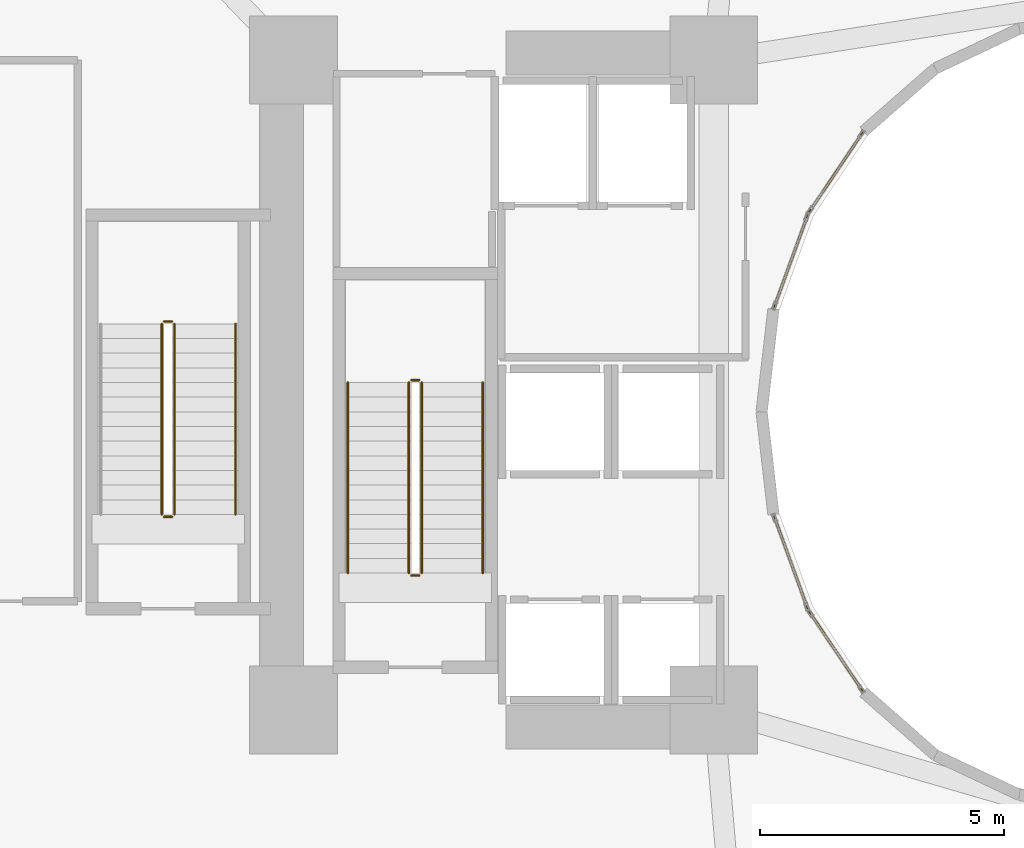
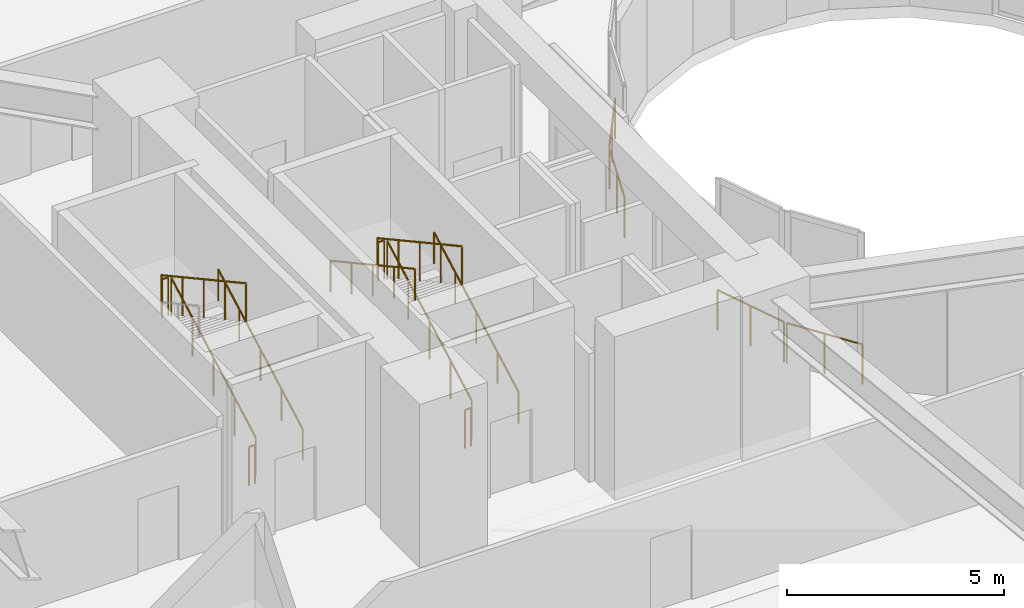
# One storey, part 21 of 25: 15 railings.
"""IFC4 building model written with IfcOpenShell, lengths in metres."""

from ifc_helpers import new_model, si_unit, direction, frame, origin, origin_2d, place, context, subcontext, project, spatial, circle, extrude, material, type_object, element, save


model = new_model("IFC4")

# Units and contexts
model_context = context("Model", 3, precision=1e-05, world=origin(), true_north=direction((0.0, 1.0)))
body_context = subcontext(model_context, "Body", "Model", "MODEL_VIEW")
ifc_project = project(units=[si_unit("LENGTHUNIT", "METRE"), si_unit("AREAUNIT", "SQUARE_METRE"), si_unit("VOLUMEUNIT", "CUBIC_METRE"), si_unit("PLANEANGLEUNIT", "RADIAN"), si_unit("MASSUNIT", "GRAM", prefix="KILO")], contexts=[model_context])

# Site, building, storey
site_placement = place(None, origin())
site = spatial("IfcSite", under=ifc_project, at=site_placement, CompositionType="ELEMENT")
building_placement = place(site_placement, origin())
building = spatial("IfcBuilding", under=site, at=building_placement, Name="Solvane Sanctuary Tower", CompositionType="ELEMENT")
storey_placement = place(building_placement, frame((0.0, 0.0, 13.800048828125)))
storey = spatial("IfcBuildingStorey", under=building, at=storey_placement, Name="L04", CompositionType="ELEMENT", Elevation=13.800048828125)

# Railings
ifc_material = material(Name="Architectural Stainless Steel 316", Category="steel")
railing_type_1 = type_object("IfcRailingType", Name="Railing GR-BALC-1150", PredefinedType="BALUSTRADE", material=ifc_material)
railing_1_placement = place(storey_placement, frame((17.919921875, 19.699951171875, 0.164306640625)))
element("IfcRailing", 1, at=railing_1_placement, inside=storey, type_object=railing_type_1, Name="L04 ST-1 stair guard 1", PredefinedType="BALUSTRADE", context=body_context, shape_type="SweptSolid", body=[
    extrude(circle(Radius=0.02392578125, at=origin_2d()), frame((0.0, 0.0, 1.076171875), z_axis=(0.0, 0.877101224295, 0.480305571839), x_axis=(-1.0, 0.0, 0.0)), (0.0, 0.0, 1.0), 4.446533203125),
    extrude(circle(Radius=0.02099609375, at=origin_2d()), origin(), (0.0, 0.0, 1.0), 1.052001953125),
    extrude(circle(Radius=0.02099609375, at=origin_2d()), frame((0.0, 0.97509765625, 0.533935546875)), (0.0, 0.0, 1.0), 1.052001953125),
    extrude(circle(Radius=0.02099609375, at=origin_2d()), frame((0.0, 1.9501953125, 1.06787109375)), (0.0, 0.0, 1.0), 1.052001953125),
    extrude(circle(Radius=0.02099609375, at=origin_2d()), frame((0.0, 2.925048828125, 1.601806640625)), (0.0, 0.0, 1.0), 1.052001953125),
    extrude(circle(Radius=0.02099609375, at=origin_2d()), frame((0.0, 3.900146484375, 2.1357421875)), (0.0, 0.0, 1.0), 1.052001953125),
])
railing_2_placement = place(storey_placement, frame((17.8701171875, 23.64990234375, 2.300048828125)))
element("IfcRailing", 2, at=railing_2_placement, inside=storey, type_object=railing_type_1, Name="L04 ST-1 stair guard 2", PredefinedType="BALUSTRADE", context=body_context, shape_type="SweptSolid", body=[
    extrude(circle(Radius=0.02392578125, at=origin_2d()), frame((0.0, 0.0, 1.076171875), z_axis=(-1.0, 0.0, 0.0), x_axis=(0.0, -1.0, 0.0)), (0.0, 0.0, 1.0), 0.16015625),
    extrude(circle(Radius=0.02099609375, at=origin_2d()), origin(), (0.0, 0.0, 1.0), 1.052001953125),
    extrude(circle(Radius=0.02099609375, at=origin_2d()), frame((-0.16015625, 0.0, 0.0)), (0.0, 0.0, 1.0), 1.052001953125),
])
railing_3_placement = place(storey_placement, frame((17.659912109375, 23.60009765625, 2.46435546875)))
element("IfcRailing", 3, at=railing_3_placement, inside=storey, type_object=railing_type_1, Name="L04 ST-1 stair guard 3", PredefinedType="BALUSTRADE", context=body_context, shape_type="SweptSolid", body=[
    extrude(circle(Radius=0.02392578125, at=origin_2d()), frame((0.0, 0.0, 1.076171875), z_axis=(0.0, -0.877124353918, 0.480263331688), x_axis=(1.0, 0.0, 0.0)), (0.0, 0.0, 1.0), 4.446533203125),
    extrude(circle(Radius=0.02099609375, at=origin_2d()), origin(), (0.0, 0.0, 1.0), 1.052001953125),
    extrude(circle(Radius=0.02099609375, at=origin_2d()), frame((0.0, -0.97509765625, 0.533935546875)), (0.0, 0.0, 1.0), 1.052001953125),
    extrude(circle(Radius=0.02099609375, at=origin_2d()), frame((0.0, -1.9501953125, 1.06787109375)), (0.0, 0.0, 1.0), 1.052001953125),
    extrude(circle(Radius=0.02099609375, at=origin_2d()), frame((0.0, -2.925048828125, 1.6015625)), (0.0, 0.0, 1.0), 1.052001953125),
    extrude(circle(Radius=0.02099609375, at=origin_2d()), frame((0.0, -3.900146484375, 2.135498046875)), (0.0, 0.0, 1.0), 1.052001953125),
])
railing_4_placement = place(storey_placement, frame((17.8701171875, 19.64990234375, 0.0)))
element("IfcRailing", 4, at=railing_4_placement, inside=storey, type_object=railing_type_1, Name="L04 ST-1 stair guard 4", PredefinedType="BALUSTRADE", context=body_context, shape_type="SweptSolid", body=[
    extrude(circle(Radius=0.02392578125, at=origin_2d()), frame((0.0, 0.0, 1.076171875), z_axis=(-1.0, 0.0, 0.0), x_axis=(0.0, -1.0, 0.0)), (0.0, 0.0, 1.0), 0.16015625),
    extrude(circle(Radius=0.02099609375, at=origin_2d()), origin(), (0.0, 0.0, 1.0), 1.052001953125),
    extrude(circle(Radius=0.02099609375, at=origin_2d()), frame((-0.16015625, 0.0, 0.0)), (0.0, 0.0, 1.0), 1.052001953125),
])
railing_5_placement = place(storey_placement, frame((12.860107421875, 20.89990234375, 0.164306640625)))
element("IfcRailing", 5, at=railing_5_placement, inside=storey, type_object=railing_type_1, Name="L04 ST-3 stair guard 1", PredefinedType="BALUSTRADE", context=body_context, shape_type="SweptSolid", body=[
    extrude(circle(Radius=0.02392578125, at=origin_2d()), frame((0.0, 0.0, 1.076171875), z_axis=(0.0, 0.877101224295, 0.480305571839), x_axis=(-1.0, 0.0, 0.0)), (0.0, 0.0, 1.0), 4.446533203125),
    extrude(circle(Radius=0.02099609375, at=origin_2d()), origin(), (0.0, 0.0, 1.0), 1.052001953125),
    extrude(circle(Radius=0.02099609375, at=origin_2d()), frame((0.0, 0.97509765625, 0.533935546875)), (0.0, 0.0, 1.0), 1.052001953125),
    extrude(circle(Radius=0.02099609375, at=origin_2d()), frame((0.0, 1.9501953125, 1.06787109375)), (0.0, 0.0, 1.0), 1.052001953125),
    extrude(circle(Radius=0.02099609375, at=origin_2d()), frame((0.0, 2.925048828125, 1.601806640625)), (0.0, 0.0, 1.0), 1.052001953125),
    extrude(circle(Radius=0.02099609375, at=origin_2d()), frame((0.0, 3.900146484375, 2.1357421875)), (0.0, 0.0, 1.0), 1.052001953125),
])
railing_6_placement = place(storey_placement, frame((12.81005859375, 24.85009765625, 2.300048828125)))
element("IfcRailing", 6, at=railing_6_placement, inside=storey, type_object=railing_type_1, Name="L04 ST-3 stair guard 2", PredefinedType="BALUSTRADE", context=body_context, shape_type="SweptSolid", body=[
    extrude(circle(Radius=0.02392578125, at=origin_2d()), frame((0.0, 0.0, 1.076171875), z_axis=(-1.0, 0.0, 0.0), x_axis=(0.0, -1.0, 0.0)), (0.0, 0.0, 1.0), 0.16015625),
    extrude(circle(Radius=0.02099609375, at=origin_2d()), origin(), (0.0, 0.0, 1.0), 1.052001953125),
    extrude(circle(Radius=0.02099609375, at=origin_2d()), frame((-0.16015625, 0.0, 0.0)), (0.0, 0.0, 1.0), 1.052001953125),
])
railing_7_placement = place(storey_placement, frame((12.60009765625, 24.800048828125, 2.46435546875)))
element("IfcRailing", 7, at=railing_7_placement, inside=storey, type_object=railing_type_1, Name="L04 ST-3 stair guard 3", PredefinedType="BALUSTRADE", context=body_context, shape_type="SweptSolid", body=[
    extrude(circle(Radius=0.02392578125, at=origin_2d()), frame((0.0, 0.0, 1.076171875), z_axis=(0.0, -0.877124353918, 0.480263331688), x_axis=(1.0, 0.0, 0.0)), (0.0, 0.0, 1.0), 4.446533203125),
    extrude(circle(Radius=0.02099609375, at=origin_2d()), origin(), (0.0, 0.0, 1.0), 1.052001953125),
    extrude(circle(Radius=0.02099609375, at=origin_2d()), frame((0.0, -0.97509765625, 0.533935546875)), (0.0, 0.0, 1.0), 1.052001953125),
    extrude(circle(Radius=0.02099609375, at=origin_2d()), frame((0.0, -1.9501953125, 1.06787109375)), (0.0, 0.0, 1.0), 1.052001953125),
    extrude(circle(Radius=0.02099609375, at=origin_2d()), frame((0.0, -2.925048828125, 1.6015625)), (0.0, 0.0, 1.0), 1.052001953125),
    extrude(circle(Radius=0.02099609375, at=origin_2d()), frame((0.0, -3.900146484375, 2.135498046875)), (0.0, 0.0, 1.0), 1.052001953125),
])
railing_8_placement = place(storey_placement, frame((12.81005859375, 20.85009765625, 0.0)))
element("IfcRailing", 8, at=railing_8_placement, inside=storey, type_object=railing_type_1, Name="L04 ST-3 stair guard 4", PredefinedType="BALUSTRADE", context=body_context, shape_type="SweptSolid", body=[
    extrude(circle(Radius=0.02392578125, at=origin_2d()), frame((0.0, 0.0, 1.076171875), z_axis=(-1.0, 0.0, 0.0), x_axis=(0.0, -1.0, 0.0)), (0.0, 0.0, 1.0), 0.16015625),
    extrude(circle(Radius=0.02099609375, at=origin_2d()), origin(), (0.0, 0.0, 1.0), 1.052001953125),
    extrude(circle(Radius=0.02099609375, at=origin_2d()), frame((-0.16015625, 0.0, 0.0)), (0.0, 0.0, 1.0), 1.052001953125),
])
railing_type_2 = type_object("IfcRailingType", Name="Railing GR-WELL-1150", PredefinedType="GUARDRAIL", material=ifc_material)
railing_9_placement = place(storey_placement, frame((26.943115234375, 28.70849609375, 0.0)))
element("IfcRailing", 9, at=railing_9_placement, inside=storey, type_object=railing_type_2, Name="L04 Light-Well Sill Guard 09", PredefinedType="GUARDRAIL", context=body_context, shape_type="SweptSolid", body=[
    extrude(circle(Radius=0.02392578125, at=origin_2d()), frame((0.0, 0.0, 1.1259765625), z_axis=(-0.558283423748, -0.829650299083, 0.0), x_axis=(0.829650299083, -0.558283423748, 0.0)), (0.0, 0.0, 1.0), 1.94677734375),
    extrude(circle(Radius=0.02099609375, at=origin_2d()), origin(), (0.0, 0.0, 1.0), 1.101806640625),
    extrude(circle(Radius=0.02099609375, at=origin_2d()), frame((-0.54345703125, -0.8076171875, 0.0)), (0.0, 0.0, 1.0), 1.101806640625),
    extrude(circle(Radius=0.02099609375, at=origin_2d()), frame((-1.0869140625, -1.615234375, 0.0)), (0.0, 0.0, 1.0), 1.101806640625),
])
railing_10_placement = place(storey_placement, frame((25.8203125, 27.0224609375, 0.0)))
element("IfcRailing", 10, at=railing_10_placement, inside=storey, type_object=railing_type_2, Name="L04 Light-Well Sill Guard 10", PredefinedType="GUARDRAIL", context=body_context, shape_type="SweptSolid", body=[
    extrude(circle(Radius=0.02392578125, at=origin_2d()), frame((0.0, 0.0, 1.1259765625), z_axis=(-0.341410413021, -0.9399143205, 0.0), x_axis=(0.9399143205, -0.341410413021, 0.0)), (0.0, 0.0, 1.0), 2.003662109375),
    extrude(circle(Radius=0.02099609375, at=origin_2d()), origin(), (0.0, 0.0, 1.0), 1.101806640625),
    extrude(circle(Radius=0.02099609375, at=origin_2d()), frame((-0.342041015625, -0.941650390625, 0.0)), (0.0, 0.0, 1.0), 1.101806640625),
    extrude(circle(Radius=0.02099609375, at=origin_2d()), frame((-0.68408203125, -1.88330078125, 0.0)), (0.0, 0.0, 1.0), 1.101806640625),
])
railing_11_placement = place(storey_placement, frame((25.13623046875, 20.86083984375, 0.0)))
element("IfcRailing", 11, at=railing_11_placement, inside=storey, type_object=railing_type_2, Name="L04 Light-Well Sill Guard 13", PredefinedType="GUARDRAIL", context=body_context, shape_type="SweptSolid", body=[
    extrude(circle(Radius=0.02392578125, at=origin_2d()), frame((0.0, 0.0, 1.1259765625), z_axis=(0.341410413021, -0.9399143205, 0.0), x_axis=(0.9399143205, 0.341410413021, 0.0)), (0.0, 0.0, 1.0), 2.003662109375),
    extrude(circle(Radius=0.02099609375, at=origin_2d()), origin(), (0.0, 0.0, 1.0), 1.101806640625),
    extrude(circle(Radius=0.02099609375, at=origin_2d()), frame((0.342041015625, -0.941650390625, 0.0)), (0.0, 0.0, 1.0), 1.101806640625),
    extrude(circle(Radius=0.02099609375, at=origin_2d()), frame((0.68408203125, -1.88330078125, 0.0)), (0.0, 0.0, 1.0), 1.101806640625),
])
railing_12_placement = place(storey_placement, frame((25.856201171875, 18.90673828125, 0.0)))
element("IfcRailing", 12, at=railing_12_placement, inside=storey, type_object=railing_type_2, Name="L04 Light-Well Sill Guard 14", PredefinedType="GUARDRAIL", context=body_context, shape_type="SweptSolid", body=[
    extrude(circle(Radius=0.02392578125, at=origin_2d()), frame((0.0, 0.0, 1.1259765625), z_axis=(0.558283423748, -0.829650299083, 0.0), x_axis=(0.829650299083, 0.558283423748, 0.0)), (0.0, 0.0, 1.0), 1.94677734375),
    extrude(circle(Radius=0.02099609375, at=origin_2d()), origin(), (0.0, 0.0, 1.0), 1.101806640625),
    extrude(circle(Radius=0.02099609375, at=origin_2d()), frame((0.54345703125, -0.8076171875, 0.0)), (0.0, 0.0, 1.0), 1.101806640625),
    extrude(circle(Radius=0.02099609375, at=origin_2d()), frame((1.0869140625, -1.615234375, 0.0)), (0.0, 0.0, 1.0), 1.101806640625),
])
railing_type_3 = type_object("IfcRailingType", Name="Railing HR-STAIR-920", PredefinedType="HANDRAIL", material=ifc_material)
railing_13_placement = place(storey_placement, frame((19.169921875, 19.699951171875, 0.164306640625)))
element("IfcRailing", 13, at=railing_13_placement, inside=storey, type_object=railing_type_3, Name="L04 ST-1 stair handrail 1", PredefinedType="HANDRAIL", context=body_context, shape_type="SweptSolid", body=[
    extrude(circle(Radius=0.02392578125, at=origin_2d()), frame((0.0, 0.0, 0.8759765625), z_axis=(0.0, 0.877101224295, 0.480305571839), x_axis=(-1.0, 0.0, 0.0)), (0.0, 0.0, 1.0), 4.446533203125),
    extrude(circle(Radius=0.02099609375, at=origin_2d()), origin(), (0.0, 0.0, 1.0), 0.851806640625),
    extrude(circle(Radius=0.02099609375, at=origin_2d()), frame((0.0, 0.97509765625, 0.533935546875)), (0.0, 0.0, 1.0), 0.851806640625),
    extrude(circle(Radius=0.02099609375, at=origin_2d()), frame((0.0, 1.9501953125, 1.06787109375)), (0.0, 0.0, 1.0), 0.851806640625),
    extrude(circle(Radius=0.02099609375, at=origin_2d()), frame((0.0, 2.925048828125, 1.601806640625)), (0.0, 0.0, 1.0), 0.851806640625),
    extrude(circle(Radius=0.02099609375, at=origin_2d()), frame((0.0, 3.900146484375, 2.1357421875)), (0.0, 0.0, 1.0), 0.851806640625),
])
railing_14_placement = place(storey_placement, frame((16.409912109375, 23.60009765625, 2.46435546875)))
element("IfcRailing", 14, at=railing_14_placement, inside=storey, type_object=railing_type_3, Name="L04 ST-1 stair handrail 2", PredefinedType="HANDRAIL", context=body_context, shape_type="SweptSolid", body=[
    extrude(circle(Radius=0.02392578125, at=origin_2d()), frame((0.0, 0.0, 0.8759765625), z_axis=(0.0, -0.877124353918, 0.480263331688), x_axis=(1.0, 0.0, 0.0)), (0.0, 0.0, 1.0), 4.446533203125),
    extrude(circle(Radius=0.02099609375, at=origin_2d()), origin(), (0.0, 0.0, 1.0), 0.851806640625),
    extrude(circle(Radius=0.02099609375, at=origin_2d()), frame((0.0, -0.97509765625, 0.533935546875)), (0.0, 0.0, 1.0), 0.851806640625),
    extrude(circle(Radius=0.02099609375, at=origin_2d()), frame((0.0, -1.9501953125, 1.06787109375)), (0.0, 0.0, 1.0), 0.851806640625),
    extrude(circle(Radius=0.02099609375, at=origin_2d()), frame((0.0, -2.925048828125, 1.6015625)), (0.0, 0.0, 1.0), 0.851806640625),
    extrude(circle(Radius=0.02099609375, at=origin_2d()), frame((0.0, -3.900146484375, 2.135498046875)), (0.0, 0.0, 1.0), 0.851806640625),
])
railing_15_placement = place(storey_placement, frame((14.110107421875, 20.89990234375, 0.164306640625)))
element("IfcRailing", 15, at=railing_15_placement, inside=storey, type_object=railing_type_3, Name="L04 ST-3 stair handrail 1", PredefinedType="HANDRAIL", context=body_context, shape_type="SweptSolid", body=[
    extrude(circle(Radius=0.02392578125, at=origin_2d()), frame((0.0, 0.0, 0.8759765625), z_axis=(0.0, 0.877101224295, 0.480305571839), x_axis=(-1.0, 0.0, 0.0)), (0.0, 0.0, 1.0), 4.446533203125),
    extrude(circle(Radius=0.02099609375, at=origin_2d()), origin(), (0.0, 0.0, 1.0), 0.851806640625),
    extrude(circle(Radius=0.02099609375, at=origin_2d()), frame((0.0, 0.97509765625, 0.533935546875)), (0.0, 0.0, 1.0), 0.851806640625),
    extrude(circle(Radius=0.02099609375, at=origin_2d()), frame((0.0, 1.9501953125, 1.06787109375)), (0.0, 0.0, 1.0), 0.851806640625),
    extrude(circle(Radius=0.02099609375, at=origin_2d()), frame((0.0, 2.925048828125, 1.601806640625)), (0.0, 0.0, 1.0), 0.851806640625),
    extrude(circle(Radius=0.02099609375, at=origin_2d()), frame((0.0, 3.900146484375, 2.1357421875)), (0.0, 0.0, 1.0), 0.851806640625),
])

save(model, "model.ifc")
